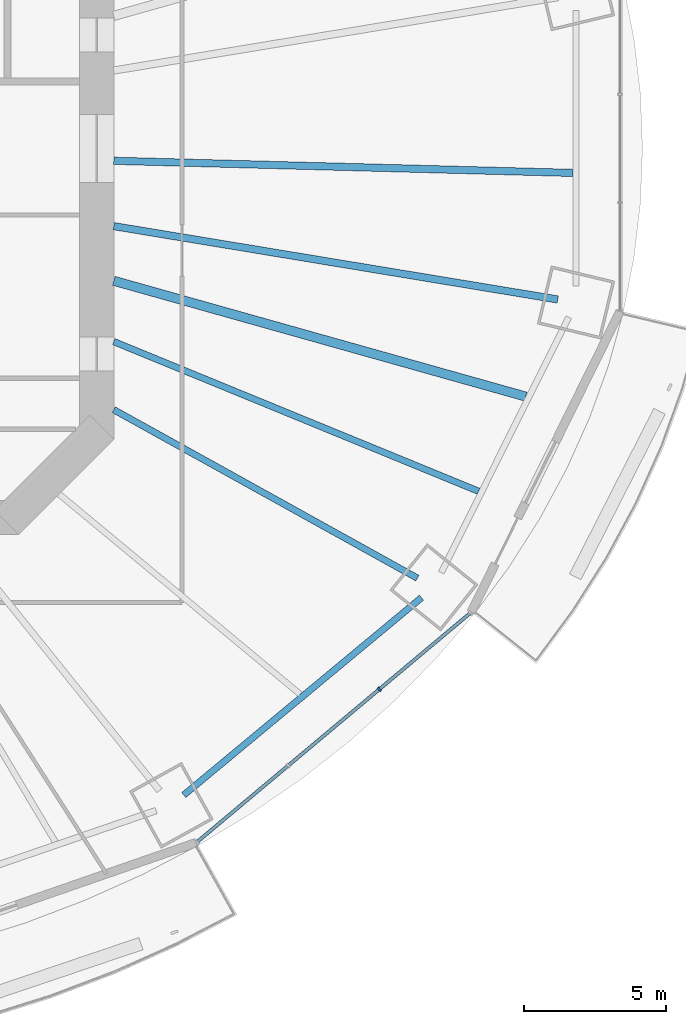
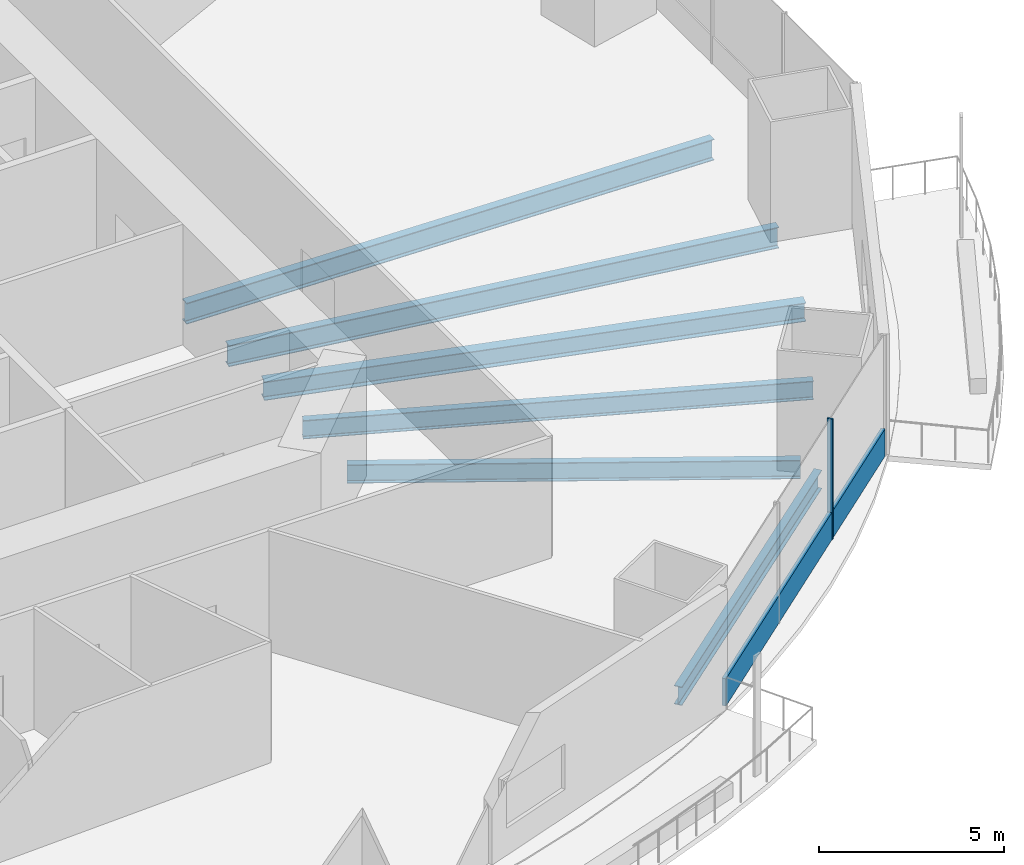
# One storey, part 5 of 22: 6 beams, 2 members, 1 element without a shape of its own.
"""IFC4 building model written with IfcOpenShell, lengths in metres."""

from ifc_helpers import new_model, si_unit, direction, frame, origin, origin_2d, place, context, subcontext, project, spatial, rectangle, i_section, extrude, material, material_profile, profile_set, type_object, element, aggregate, save


model = new_model("IFC4")

# Units and contexts
model_context = context("Model", 3, precision=1e-05, world=origin(), true_north=direction((0.0, 1.0)))
body_context = subcontext(model_context, "Body", "Model", "MODEL_VIEW")
ifc_project = project(units=[si_unit("LENGTHUNIT", "METRE"), si_unit("AREAUNIT", "SQUARE_METRE"), si_unit("VOLUMEUNIT", "CUBIC_METRE"), si_unit("PLANEANGLEUNIT", "RADIAN"), si_unit("MASSUNIT", "GRAM", prefix="KILO")], contexts=[model_context])

# Site, building, storey
site_placement = place(None, origin())
site = spatial("IfcSite", under=ifc_project, at=site_placement, CompositionType="ELEMENT")
building_placement = place(site_placement, origin())
building = spatial("IfcBuilding", under=site, at=building_placement, Name="Marenthal Gate Tower", CompositionType="ELEMENT")
storey_placement = place(building_placement, frame((0.0, 0.0, 91.10009765625)))
storey = spatial("IfcBuildingStorey", under=building, at=storey_placement, Name="L18", CompositionType="ELEMENT", Elevation=91.10009765625)

# Curtain wall, members
ifc_material_1 = material(Name="Aluminium and glass", Category="aluminium")
curtain_wall_type = type_object("IfcCurtainWallType", Name="Curtain wall typical low", PredefinedType="NOTDEFINED", material=ifc_material_1)
curtain_wall_placement = place(storey_placement, origin())
curtain_wall = element("IfcCurtainWall", 1, at=curtain_wall_placement, inside=storey, type_object=curtain_wall_type, Name="Curtain wall L18 bay 14", PredefinedType="NOTDEFINED")
ifc_material_2 = material(Name="Aluminium", Category="aluminium")
ifc_material_profile_1 = material_profile(ifc_material_2, rectangle(XDim=0.159912109375, YDim=0.06005859375, at=origin_2d()), Name="60x160 aluminium mullion")
ifc_profile_set_1 = profile_set([ifc_material_profile_1], Name="Aluminium")
member_type_1 = type_object("IfcMemberType", Name="Mullion 60x160 typical low", PredefinedType="MULLION", material=ifc_profile_set_1)
member_1_placement = place(storey_placement, frame((25.95703125, -19.0556640625, 0.0), z_axis=(0.0, 0.0, 1.0), x_axis=(-0.642228281301, 0.766513427604, 0.0)))
member_1 = element("IfcMember", 2, at=member_1_placement, type_object=member_type_1, Name="Mullion L18 bay 14.3", PredefinedType="MULLION", context=body_context, shape_type="SweptSolid", body=[
    extrude(rectangle(XDim=0.159912109375, YDim=0.06005859375, at=origin_2d()), origin(), (0.0, 0.0, 1.0), 3.969970703125),
])
ifc_material_3 = material(Name="Aluminium", Category="aluminium")
ifc_material_profile_2 = material_profile(ifc_material_3, rectangle(XDim=0.1201171875, YDim=0.89990234375, at=origin_2d()), Name="120x900 aluminium transom")
ifc_profile_set_2 = profile_set([ifc_material_profile_2], Name="Aluminium")
member_type_2 = type_object("IfcMemberType", Name="Transom 120x900 typical low", PredefinedType="USERDEFINED", material=ifc_profile_set_2)
member_2_placement = place(storey_placement, frame((19.552490234375, -24.421630859375, 0.449951171875), z_axis=(0.766517626831, 0.642223269399, 0.0), x_axis=(-0.642223269399, 0.766517626831, 0.0)))
member_2 = element("IfcMember", 3, at=member_2_placement, type_object=member_type_2, Name="Transom L18 bay 14", ObjectType="TRANSOM", PredefinedType="USERDEFINED", context=body_context, shape_type="SweptSolid", body=[
    extrude(rectangle(XDim=0.1201171875, YDim=0.89990234375, at=origin_2d()), origin(), (0.0, 0.0, 1.0), 12.517822265625),
])
aggregate(curtain_wall, [member_1, member_2])

# Beams
ifc_material_4 = material(Name="Steel S355", Category="steel")
ifc_material_profile_3 = material_profile(ifc_material_4, i_section(OverallWidth=0.22900390625, OverallDepth=0.612060546875, WebThickness=0.011962890625, FlangeThickness=0.01953125, FilletRadius=0.0126953125, at=origin_2d()), Name="W610X125")
ifc_profile_set_3 = profile_set([ifc_material_profile_3], Name="Steel S355")
beam_type_1 = type_object("IfcBeamType", Name="W610X125 beam", PredefinedType="BEAM", material=ifc_profile_set_3)
beam_1_placement = place(storey_placement, frame((27.296630859375, -15.142333984375, -0.486083984375), z_axis=(-0.874458374023, 0.485100558752, 0.0), x_axis=(-0.485100558752, -0.874458374023, 0.0)))
element("IfcBeam", 4, at=beam_1_placement, inside=storey, type_object=beam_type_1, Name="BM-L18-15", PredefinedType="BEAM", context=body_context, shape_type="SweptSolid", body=[
    extrude(i_section(OverallWidth=0.22900390625, OverallDepth=0.612060546875, WebThickness=0.011962890625, FlangeThickness=0.01953125, FilletRadius=0.0126953125, at=origin_2d()), origin(), (0.0, 0.0, 1.0), 12.232177734375),
])
beam_2_placement = place(storey_placement, frame((29.45068359375, -12.08056640625, -0.486083984375), z_axis=(-0.925188716507, 0.379507363365, 0.0), x_axis=(-0.379507363365, -0.925188716507, 0.0)))
element("IfcBeam", 5, at=beam_2_placement, inside=storey, type_object=beam_type_1, Name="BM-L18-38", PredefinedType="BEAM", context=body_context, shape_type="SweptSolid", body=[
    extrude(i_section(OverallWidth=0.22900390625, OverallDepth=0.612060546875, WebThickness=0.011962890625, FlangeThickness=0.01953125, FilletRadius=0.0126953125, at=origin_2d()), origin(), (0.0, 0.0, 1.0), 13.8896484375),
])
beam_3_placement = place(storey_placement, frame((19.066162109375, -22.783447265625, -0.486083984375), z_axis=(0.769402188258, 0.638764645784, 0.0), x_axis=(-0.638764645784, 0.769402188258, 0.0)))
element("IfcBeam", 6, at=beam_3_placement, inside=storey, type_object=beam_type_1, Name="BM-L18-54", PredefinedType="BEAM", context=body_context, shape_type="SweptSolid", body=[
    extrude(i_section(OverallWidth=0.22900390625, OverallDepth=0.612060546875, WebThickness=0.011962890625, FlangeThickness=0.01953125, FilletRadius=0.0126953125, at=origin_2d()), origin(), (0.0, 0.0, 1.0), 10.884033203125),
])
ifc_material_5 = material(Name="Steel S355", Category="steel")
ifc_material_profile_4 = material_profile(ifc_material_5, i_section(OverallWidth=0.324951171875, OverallDepth=0.612060546875, WebThickness=0.0126953125, FlangeThickness=0.01904296875, FilletRadius=0.0126953125, at=origin_2d()), Name="W610X155")
ifc_profile_set_4 = profile_set([ifc_material_profile_4], Name="Steel S355")
beam_type_2 = type_object("IfcBeamType", Name="W610X155 beam", PredefinedType="BEAM", material=ifc_profile_set_4)
beam_4_placement = place(storey_placement, frame((31.114013671875, -8.74658203125, -0.486083984375), z_axis=(-0.962684828959, 0.270625054443, 0.0), x_axis=(-0.270625054443, -0.962684828959, 0.0)))
element("IfcBeam", 7, at=beam_4_placement, inside=storey, type_object=beam_type_2, Name="BM-L18-39", PredefinedType="BEAM", context=body_context, shape_type="SweptSolid", body=[
    extrude(i_section(OverallWidth=0.324951171875, OverallDepth=0.612060546875, WebThickness=0.0126953125, FlangeThickness=0.01904296875, FilletRadius=0.0126953125, at=origin_2d()), origin(), (0.0, 0.0, 1.0), 15.076416015625),
])
ifc_material_6 = material(Name="Steel S355", Category="steel")
ifc_material_profile_5 = material_profile(ifc_material_6, i_section(OverallWidth=0.257080078125, OverallDepth=0.693115234375, WebThickness=0.014404296875, FlangeThickness=0.023681640625, FilletRadius=0.015380859375, at=origin_2d()), Name="W690X170")
ifc_profile_set_5 = profile_set([ifc_material_profile_5], Name="Steel S355")
beam_type_3 = type_object("IfcBeamType", Name="W690X170 beam", PredefinedType="BEAM", material=ifc_profile_set_5)
beam_5_placement = place(storey_placement, frame((32.242431640625, -5.324462890625, -0.526611328125), z_axis=(-0.986636314494, 0.162937972619, 0.0), x_axis=(-0.162937972619, -0.986636314494, 0.0)))
element("IfcBeam", 8, at=beam_5_placement, inside=storey, type_object=beam_type_3, Name="BM-L18-16", PredefinedType="BEAM", context=body_context, shape_type="SweptSolid", body=[
    extrude(i_section(OverallWidth=0.257080078125, OverallDepth=0.693115234375, WebThickness=0.014404296875, FlangeThickness=0.023681640625, FilletRadius=0.015380859375, at=origin_2d()), origin(), (0.0, 0.0, 1.0), 15.854248046875),
])
beam_6_placement = place(storey_placement, frame((32.78076171875, -0.8662109375, -0.526611328125), z_axis=(-0.999651179151, 0.026410604362, 0.0), x_axis=(-0.026410604362, -0.999651179151, 0.0)))
element("IfcBeam", 9, at=beam_6_placement, inside=storey, type_object=beam_type_3, Name="BM-L18-40", PredefinedType="BEAM", context=body_context, shape_type="SweptSolid", body=[
    extrude(i_section(OverallWidth=0.257080078125, OverallDepth=0.693115234375, WebThickness=0.014404296875, FlangeThickness=0.023681640625, FilletRadius=0.015380859375, at=origin_2d()), origin(), (0.0, 0.0, 1.0), 16.186279296875),
])

save(model, "model.ifc")
